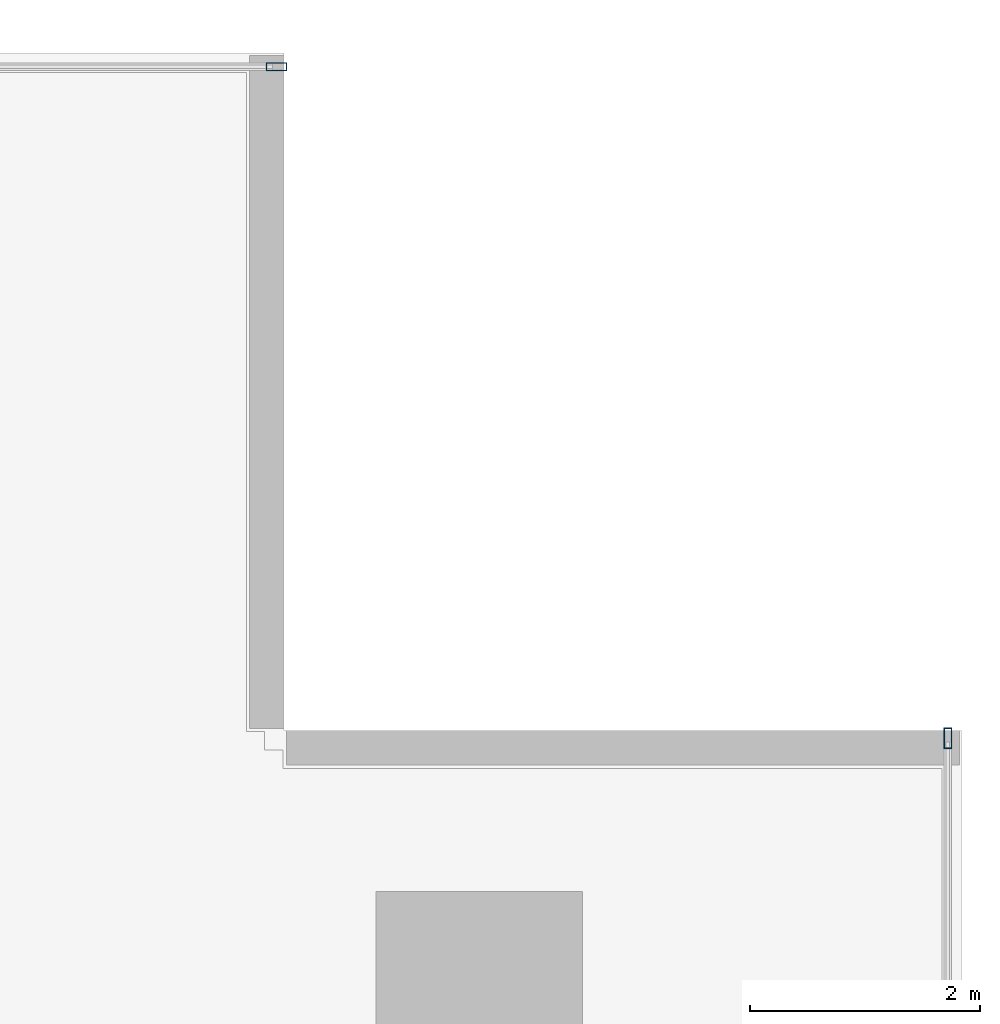
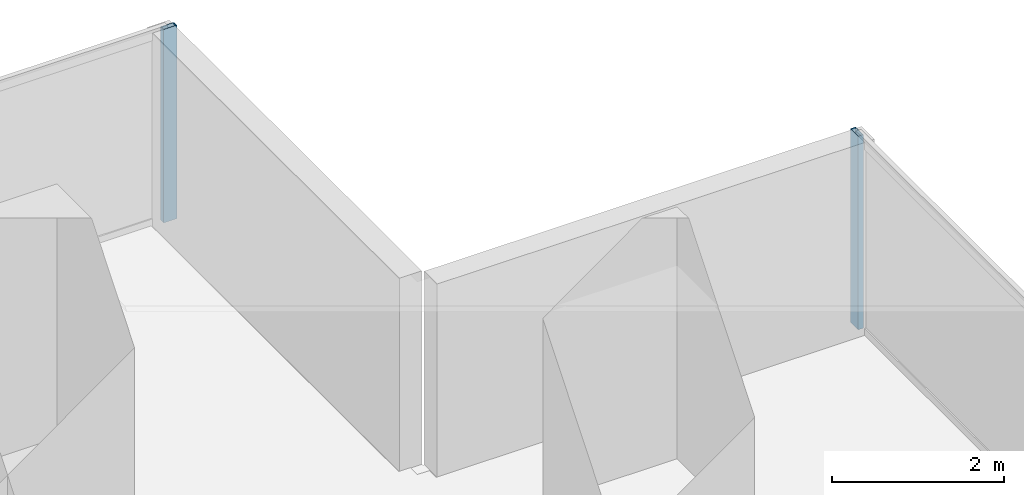
# One storey, part 22 of 32: 2 members, 2 elements without a shape of their own.
"""IFC4 building model written with IfcOpenShell, lengths in metres."""

from ifc_helpers import new_model, si_unit, direction, frame, origin, origin_2d, place, context, subcontext, project, spatial, hollow_rectangle, extrude, source, transform, mapped, material, layer, layer_set, material_profile, profile_set, type_object, element, aggregate, save


model = new_model("IFC4")

# Units and contexts
model_context = context("Model", 3, precision=1e-05, world=origin(), true_north=direction((0.0, 1.0)))
body_context = subcontext(model_context, "Body", "Model", "MODEL_VIEW")
ifc_project = project(units=[si_unit("LENGTHUNIT", "METRE"), si_unit("AREAUNIT", "SQUARE_METRE"), si_unit("VOLUMEUNIT", "CUBIC_METRE"), si_unit("PLANEANGLEUNIT", "RADIAN"), si_unit("MASSUNIT", "GRAM", prefix="KILO")], contexts=[model_context])

# Site, building, storey
site_placement = place(None, origin())
site = spatial("IfcSite", under=ifc_project, at=site_placement, CompositionType="ELEMENT")
building_placement = place(site_placement, origin())
building = spatial("IfcBuilding", under=site, at=building_placement, Name="Sumidabori Civic Tower", CompositionType="ELEMENT")
storey_placement = place(building_placement, frame((0.0, 0.0, 52.39990234375)))
storey = spatial("IfcBuildingStorey", under=building, at=storey_placement, Name="L13", CompositionType="ELEMENT", Elevation=52.39990234375)

# Curtain wall, member
ifc_material = material(Name="Anodised Bronze Aluminium AW-6063-T6", Category="aluminium")
ifc_layer = layer(ifc_material, 0.179931640625, Name="Anodised Bronze Aluminium AW-6063-T6")
ifc_layer_set = layer_set([ifc_layer], Name="Anodised Bronze Aluminium AW-6063-T6")
curtain_wall_type = type_object("IfcCurtainWallType", Name="CW-SYS-2", PredefinedType="NOTDEFINED", material=ifc_layer_set)
curtain_wall_1_placement = place(storey_placement, origin())
curtain_wall_1 = element("IfcCurtainWall", 1, at=curtain_wall_1_placement, inside=storey, type_object=curtain_wall_type, Name="Curtain Wall CW:L13:R04", PredefinedType="NOTDEFINED")
ifc_material_profile = material_profile(ifc_material, hollow_rectangle(XDim=0.070068359375, YDim=0.179931640625, WallThickness=0.006103515625, at=origin_2d()), Name="ALU MULLION 180x70")
ifc_profile_set = profile_set([ifc_material_profile], Name="Anodised Bronze Aluminium AW-6063-T6")
member_type = type_object("IfcMemberType", Name="CW-MUL-180", PredefinedType="MULLION", material=ifc_profile_set)
shared_shape = source(origin(), body_context, "Body", "SweptSolid", [
    extrude(hollow_rectangle(XDim=0.070068359375, YDim=0.179931640625, WallThickness=0.006103515625, at=origin_2d()), origin(), (0.0, 0.0, 1.0), 2.739990234375),
])
member_1_placement = place(storey_placement, frame((26.8798828125, 21.034912109375, 0.0), z_axis=(0.0, 0.0, 1.0), x_axis=(-1.0, 0.0, 0.0)))
member_1 = element("IfcMember", 2, at=member_1_placement, type_object=member_type, Name="CW-2 mullion 6", PredefinedType="MULLION", context=body_context, shape_type="MappedRepresentation", body=[
    mapped(shared_shape, transform((0.0, 0.0, 0.0), x_axis=(1.0, 0.0, 0.0), y_axis=(0.0, 1.0, 0.0), z_axis=(0.0, 0.0, 1.0), scale=1.0)),
])
aggregate(curtain_wall_1, [member_1])

curtain_wall_2_placement = place(storey_placement, origin())
curtain_wall_2 = element("IfcCurtainWall", 3, at=curtain_wall_2_placement, inside=storey, type_object=curtain_wall_type, Name="Curtain Wall CW:L13:R07", PredefinedType="NOTDEFINED")
member_2_placement = place(storey_placement, frame((21.034912109375, 26.8798828125, 0.0), z_axis=(0.0, 0.0, 1.0), x_axis=(0.0, -1.0, 0.0)))
member_2 = element("IfcMember", 4, at=member_2_placement, type_object=member_type, Name="CW-2 mullion 1", PredefinedType="MULLION", context=body_context, shape_type="MappedRepresentation", body=[
    mapped(shared_shape, transform((0.0, 0.0, 0.0), x_axis=(1.0, 0.0, 0.0), y_axis=(0.0, 1.0, 0.0), z_axis=(0.0, 0.0, 1.0), scale=1.0)),
])
aggregate(curtain_wall_2, [member_2])

save(model, "model.ifc")
